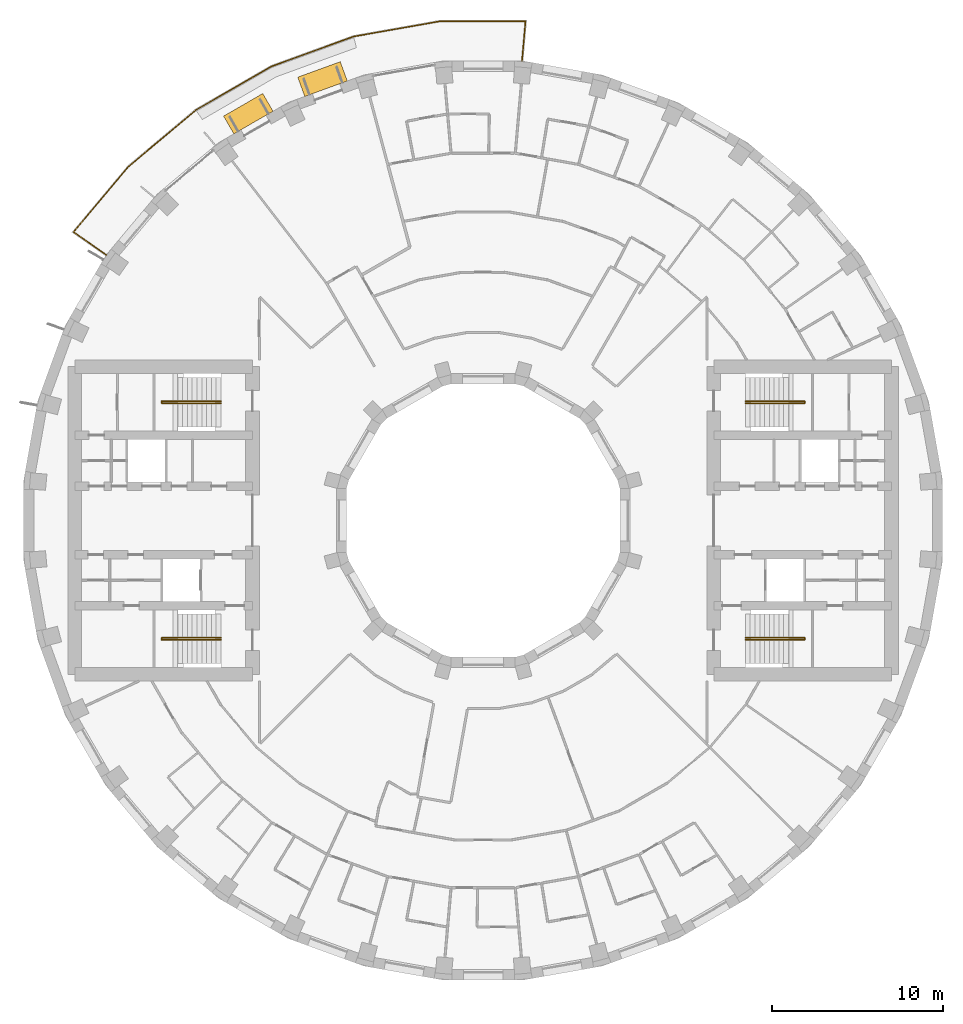
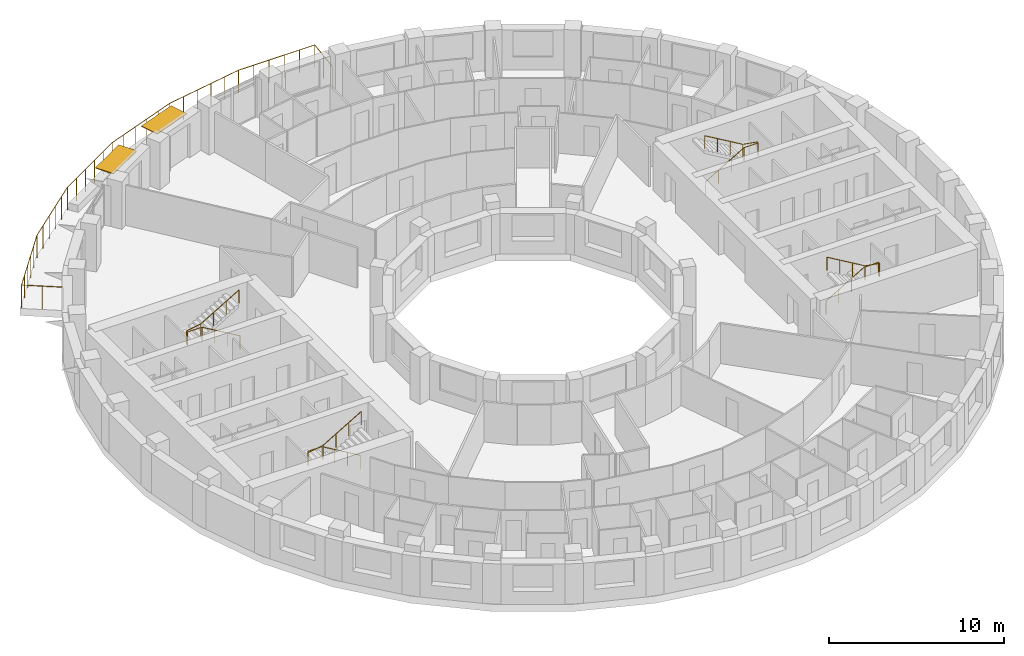
# One storey, part 14 of 14: 5 railings, 2 shading devices.
"""IFC4 building model written with IfcOpenShell, lengths in metres."""

from ifc_helpers import new_model, si_unit, direction, frame, origin, origin_2d, place, context, subcontext, project, spatial, rectangle, circle, extrude, material, layer, layer_set, type_object, element, save


model = new_model("IFC4")

# Units and contexts
model_context = context("Model", 3, precision=1e-05, world=origin(), true_north=direction((0.0, 1.0)))
body_context = subcontext(model_context, "Body", "Model", "MODEL_VIEW")
ifc_project = project(units=[si_unit("LENGTHUNIT", "METRE"), si_unit("AREAUNIT", "SQUARE_METRE"), si_unit("VOLUMEUNIT", "CUBIC_METRE"), si_unit("PLANEANGLEUNIT", "RADIAN"), si_unit("MASSUNIT", "GRAM", prefix="KILO")], contexts=[model_context])

# Site, building, storey
site_placement = place(None, origin())
site = spatial("IfcSite", under=ifc_project, at=site_placement, CompositionType="ELEMENT")
building_placement = place(site_placement, origin())
building = spatial("IfcBuilding", under=site, at=building_placement, Name="Saqina Gate Tower", CompositionType="ELEMENT")
storey_placement = place(building_placement, frame((0.0, 0.0, 98.5)))
storey = spatial("IfcBuildingStorey", under=building, at=storey_placement, Name="L27", CompositionType="ELEMENT", Elevation=98.5)

# Shading devices
ifc_material_1 = material(Name="Aluminium and fabric awning", Category="aluminium")
ifc_layer = layer(ifc_material_1, 0.050048828125)
ifc_layer_set = layer_set([ifc_layer], Name="AW-TERRACE")
shading_device_type = type_object("IfcShadingDeviceType", Name="AW-TERRACE", PredefinedType="AWNING", material=ifc_layer_set)
for number, where, z_axis, x_axis, name in (
    (1, (-9.404541015625, 25.839111328125, 2.52490234375), (0.0, 0.0, 1.0), (-0.939692620786, -0.342020143326, 0.0), "Terrace awning L27 facet 11"),
    (2, (-13.74853515625, 23.813232421875, 2.52490234375), (0.0, 0.0, 1.0), (-0.866025403784, -0.5, 0.0), "Terrace awning L27 facet 12"),
):
    element("IfcShadingDevice", number, at=place(storey_placement, frame(where, z_axis=z_axis, x_axis=x_axis)), inside=storey, type_object=shading_device_type, Name=name, PredefinedType="AWNING", context=body_context, shape_type="SweptSolid", body=[
        extrude(rectangle(XDim=2.647705078125, YDim=1.199951171875, at=origin_2d()), origin(), (0.0, 0.0, 1.0), 0.050048828125),
    ])

# Railings
ifc_material_2 = material(Name="Stainless steel", Category="steel")
railing_type_1 = type_object("IfcRailingType", Name="RL-TERRACE", PredefinedType="GUARDRAIL", material=ifc_material_2)
railing_1_placement = place(storey_placement, frame((2.268310546875, 26.844482421875, 0.0)))
element("IfcRailing", 3, at=railing_1_placement, inside=storey, type_object=railing_type_1, Name="Terrace guard L27", PredefinedType="GUARDRAIL", context=body_context, shape_type="SweptSolid", body=[
    extrude(circle(Radius=0.02392578125, at=origin_2d()), frame((0.0, 0.0, 1.576171875), z_axis=(0.087180896688, 0.996192497087, 0.0), x_axis=(-0.996192497087, 0.087180896688, 0.0)), (0.0, 0.0, 1.0), 2.388671875),
    extrude(circle(Radius=0.02392578125, at=origin_2d()), frame((0.208251953125, 2.379638671875, 1.576171875), z_axis=(-0.999999077512, -0.001358298931, 0.0), x_axis=(0.001358298931, -0.999999077512, 0.0)), (0.0, 0.0, 1.0), 5.03271484375),
    extrude(circle(Radius=0.02392578125, at=origin_2d()), frame((-4.824462890625, 2.372802734375, 1.576171875), z_axis=(-0.984809508757, -0.173638220049, 0.0), x_axis=(0.173638220049, -0.984809508757, 0.0)), (0.0, 0.0, 1.0), 5.1123046875),
    extrude(circle(Radius=0.02392578125, at=origin_2d()), frame((-9.859130859375, 1.485107421875, 1.576171875), z_axis=(-0.939695786518, -0.342011445423, 0.0), x_axis=(0.342011445423, -0.939695786518, 0.0)), (0.0, 0.0, 1.0), 5.112548828125),
    extrude(circle(Radius=0.02392578125, at=origin_2d()), frame((-14.663330078125, -0.263427734375, 1.576171875), z_axis=(-0.866018575041, -0.500011827544, 0.0), x_axis=(0.500011827544, -0.866018575041, 0.0)), (0.0, 0.0, 1.0), 5.1123046875),
    extrude(circle(Radius=0.02392578125, at=origin_2d()), frame((-19.090576171875, -2.819580078125, 1.576171875), z_axis=(-0.766020862158, -0.642815711334, 0.0), x_axis=(0.642815711334, -0.766020862158, 0.0)), (0.0, 0.0, 1.0), 5.112548828125),
    extrude(circle(Radius=0.02392578125, at=origin_2d()), frame((-23.0068359375, -6.10595703125, 1.576171875), z_axis=(-0.643889225098, -0.765118726606, 0.0), x_axis=(0.765118726606, -0.643889225098, 0.0)), (0.0, 0.0, 1.0), 5.03271484375),
    extrude(circle(Radius=0.02392578125, at=origin_2d()), frame((-26.247314453125, -9.95654296875, 1.576171875), z_axis=(0.819111872113, -0.573633803889, 0.0), x_axis=(0.573633803889, 0.819111872113, 0.0)), (0.0, 0.0, 1.0), 2.388916015625),
    extrude(circle(Radius=0.02099609375, at=origin_2d()), origin(), (0.0, 0.0, 1.0), 1.552001953125),
    extrude(circle(Radius=0.02099609375, at=origin_2d()), frame((0.10400390625, 1.18994140625, 0.0)), (0.0, 0.0, 1.0), 1.552001953125),
    extrude(circle(Radius=0.02099609375, at=origin_2d()), frame((0.208251953125, 2.379638671875, 0.0)), (0.0, 0.0, 1.0), 1.552001953125),
    extrude(circle(Radius=0.02099609375, at=origin_2d()), frame((-0.79833984375, 2.378173828125, 0.0)), (0.0, 0.0, 1.0), 1.552001953125),
    extrude(circle(Radius=0.02099609375, at=origin_2d()), frame((-1.804931640625, 2.376953125, 0.0)), (0.0, 0.0, 1.0), 1.552001953125),
    extrude(circle(Radius=0.02099609375, at=origin_2d()), frame((-2.811279296875, 2.37548828125, 0.0)), (0.0, 0.0, 1.0), 1.552001953125),
    extrude(circle(Radius=0.02099609375, at=origin_2d()), frame((-3.81787109375, 2.374267578125, 0.0)), (0.0, 0.0, 1.0), 1.552001953125),
    extrude(circle(Radius=0.02099609375, at=origin_2d()), frame((-4.824462890625, 2.372802734375, 0.0)), (0.0, 0.0, 1.0), 1.552001953125),
    extrude(circle(Radius=0.02099609375, at=origin_2d()), frame((-5.831298828125, 2.1953125, 0.0)), (0.0, 0.0, 1.0), 1.552001953125),
    extrude(circle(Radius=0.02099609375, at=origin_2d()), frame((-6.83837890625, 2.017822265625, 0.0)), (0.0, 0.0, 1.0), 1.552001953125),
    extrude(circle(Radius=0.02099609375, at=origin_2d()), frame((-7.84521484375, 1.840087890625, 0.0)), (0.0, 0.0, 1.0), 1.552001953125),
    extrude(circle(Radius=0.02099609375, at=origin_2d()), frame((-8.852294921875, 1.66259765625, 0.0)), (0.0, 0.0, 1.0), 1.552001953125),
    extrude(circle(Radius=0.02099609375, at=origin_2d()), frame((-9.859130859375, 1.485107421875, 0.0)), (0.0, 0.0, 1.0), 1.552001953125),
    extrude(circle(Radius=0.02099609375, at=origin_2d()), frame((-10.820068359375, 1.135498046875, 0.0)), (0.0, 0.0, 1.0), 1.552001953125),
    extrude(circle(Radius=0.02099609375, at=origin_2d()), frame((-11.78076171875, 0.78564453125, 0.0)), (0.0, 0.0, 1.0), 1.552001953125),
    extrude(circle(Radius=0.02099609375, at=origin_2d()), frame((-12.74169921875, 0.43603515625, 0.0)), (0.0, 0.0, 1.0), 1.552001953125),
    extrude(circle(Radius=0.02099609375, at=origin_2d()), frame((-13.702392578125, 0.086181640625, 0.0)), (0.0, 0.0, 1.0), 1.552001953125),
    extrude(circle(Radius=0.02099609375, at=origin_2d()), frame((-14.663330078125, -0.263427734375, 0.0)), (0.0, 0.0, 1.0), 1.552001953125),
    extrude(circle(Radius=0.02099609375, at=origin_2d()), frame((-15.548828125, -0.774658203125, 0.0)), (0.0, 0.0, 1.0), 1.552001953125),
    extrude(circle(Radius=0.02099609375, at=origin_2d()), frame((-16.434326171875, -1.285888671875, 0.0)), (0.0, 0.0, 1.0), 1.552001953125),
    extrude(circle(Radius=0.02099609375, at=origin_2d()), frame((-17.319580078125, -1.797119140625, 0.0)), (0.0, 0.0, 1.0), 1.552001953125),
    extrude(circle(Radius=0.02099609375, at=origin_2d()), frame((-18.205078125, -2.308349609375, 0.0)), (0.0, 0.0, 1.0), 1.552001953125),
    extrude(circle(Radius=0.02099609375, at=origin_2d()), frame((-19.090576171875, -2.819580078125, 0.0)), (0.0, 0.0, 1.0), 1.552001953125),
    extrude(circle(Radius=0.02099609375, at=origin_2d()), frame((-19.873779296875, -3.476806640625, 0.0)), (0.0, 0.0, 1.0), 1.552001953125),
    extrude(circle(Radius=0.02099609375, at=origin_2d()), frame((-20.656982421875, -4.134033203125, 0.0)), (0.0, 0.0, 1.0), 1.552001953125),
    extrude(circle(Radius=0.02099609375, at=origin_2d()), frame((-21.4404296875, -4.79150390625, 0.0)), (0.0, 0.0, 1.0), 1.552001953125),
    extrude(circle(Radius=0.02099609375, at=origin_2d()), frame((-22.2236328125, -5.44873046875, 0.0)), (0.0, 0.0, 1.0), 1.552001953125),
    extrude(circle(Radius=0.02099609375, at=origin_2d()), frame((-23.0068359375, -6.10595703125, 0.0)), (0.0, 0.0, 1.0), 1.552001953125),
    extrude(circle(Radius=0.02099609375, at=origin_2d()), frame((-23.655029296875, -6.8759765625, 0.0)), (0.0, 0.0, 1.0), 1.552001953125),
    extrude(circle(Radius=0.02099609375, at=origin_2d()), frame((-24.302978515625, -7.646240234375, 0.0)), (0.0, 0.0, 1.0), 1.552001953125),
    extrude(circle(Radius=0.02099609375, at=origin_2d()), frame((-24.951171875, -8.416259765625, 0.0)), (0.0, 0.0, 1.0), 1.552001953125),
    extrude(circle(Radius=0.02099609375, at=origin_2d()), frame((-25.59912109375, -9.1865234375, 0.0)), (0.0, 0.0, 1.0), 1.552001953125),
    extrude(circle(Radius=0.02099609375, at=origin_2d()), frame((-26.247314453125, -9.95654296875, 0.0)), (0.0, 0.0, 1.0), 1.552001953125),
    extrude(circle(Radius=0.02099609375, at=origin_2d()), frame((-25.26904296875, -10.6416015625, 0.0)), (0.0, 0.0, 1.0), 1.552001953125),
    extrude(circle(Radius=0.02099609375, at=origin_2d()), frame((-24.29052734375, -11.326904296875, 0.0)), (0.0, 0.0, 1.0), 1.552001953125),
])
ifc_material_3 = material(Name="Stainless steel", Category="steel")
railing_type_2 = type_object("IfcRailingType", Name="STAIR HANDRAIL", PredefinedType="HANDRAIL", material=ifc_material_3)
railing_2_placement = place(storey_placement, frame((15.35009765625, 6.86669921875, 0.1650390625)))
element("IfcRailing", 4, at=railing_2_placement, inside=storey, type_object=railing_type_2, Name="EXIT STAIR 1 HANDRAIL", PredefinedType="HANDRAIL", context=body_context, shape_type="SweptSolid", body=[
    extrude(circle(Radius=0.02392578125, at=origin_2d()), frame((0.0, 0.0, 0.92578125), z_axis=(0.861560626758, 0.0, 0.507654692109), x_axis=(0.0, 1.0, 0.0)), (0.0, 0.0, 1.0), 2.925048828125),
    extrude(circle(Radius=0.02392578125, at=origin_2d()), frame((2.52001953125, 0.0, 2.41064453125), z_axis=(1.0, 0.0, 0.0), x_axis=(0.0, 1.0, 0.0)), (0.0, 0.0, 1.0), 0.949951171875),
    extrude(circle(Radius=0.02392578125, at=origin_2d()), frame((3.469970703125, 0.0, 2.41064453125), z_axis=(0.0, 1.0, 0.0), x_axis=(-1.0, 0.0, 0.0)), (0.0, 0.0, 1.0), 0.11669921875),
    extrude(circle(Radius=0.02392578125, at=origin_2d()), frame((3.469970703125, 0.11669921875, 2.41064453125), z_axis=(-0.985241474778, 0.0, 0.171170197109), x_axis=(0.0, -1.0, 0.0)), (0.0, 0.0, 1.0), 0.964111328125),
    extrude(circle(Radius=0.02392578125, at=origin_2d()), frame((2.52001953125, 0.11669921875, 2.57568359375), z_axis=(-0.86152411907, 0.0, 0.507716645641), x_axis=(0.0, -1.0, 0.0)), (0.0, 0.0, 1.0), 2.925048828125),
    extrude(circle(Radius=0.02099609375, at=origin_2d()), origin(), (0.0, 0.0, 1.0), 0.90185546875),
    extrude(circle(Radius=0.02099609375, at=origin_2d()), frame((0.840087890625, 0.0, 0.494873046875)), (0.0, 0.0, 1.0), 0.90185546875),
    extrude(circle(Radius=0.02099609375, at=origin_2d()), frame((1.679931640625, 0.0, 0.989990234375)), (0.0, 0.0, 1.0), 0.90185546875),
    extrude(circle(Radius=0.02099609375, at=origin_2d()), frame((2.52001953125, 0.0, 1.48486328125)), (0.0, 0.0, 1.0), 0.90185546875),
    extrude(circle(Radius=0.02099609375, at=origin_2d()), frame((3.469970703125, 0.0, 1.48486328125)), (0.0, 0.0, 1.0), 0.90185546875),
    extrude(circle(Radius=0.02099609375, at=origin_2d()), frame((3.469970703125, 0.11669921875, 1.48486328125)), (0.0, 0.0, 1.0), 0.90185546875),
    extrude(circle(Radius=0.02099609375, at=origin_2d()), frame((2.52001953125, 0.11669921875, 1.64990234375)), (0.0, 0.0, 1.0), 0.90185546875),
    extrude(circle(Radius=0.02099609375, at=origin_2d()), frame((1.679931640625, 0.11669921875, 2.14501953125)), (0.0, 0.0, 1.0), 0.90185546875),
    extrude(circle(Radius=0.02099609375, at=origin_2d()), frame((0.840087890625, 0.11669921875, 2.639892578125)), (0.0, 0.0, 1.0), 0.90185546875),
    extrude(circle(Radius=0.02099609375, at=origin_2d()), frame((0.0, 0.11669921875, 3.135009765625)), (0.0, 0.0, 1.0), 0.90185546875),
])
railing_3_placement = place(storey_placement, frame((15.35009765625, -6.86669921875, 0.1650390625)))
element("IfcRailing", 5, at=railing_3_placement, inside=storey, type_object=railing_type_2, Name="EXIT STAIR 2 HANDRAIL", PredefinedType="HANDRAIL", context=body_context, shape_type="SweptSolid", body=[
    extrude(circle(Radius=0.02392578125, at=origin_2d()), frame((0.0, 0.0, 0.92578125), z_axis=(0.861560626758, 0.0, 0.507654692109), x_axis=(0.0, 1.0, 0.0)), (0.0, 0.0, 1.0), 2.925048828125),
    extrude(circle(Radius=0.02392578125, at=origin_2d()), frame((2.52001953125, 0.0, 2.41064453125), z_axis=(1.0, 0.0, 0.0), x_axis=(0.0, 1.0, 0.0)), (0.0, 0.0, 1.0), 0.949951171875),
    extrude(circle(Radius=0.02392578125, at=origin_2d()), frame((3.469970703125, 0.0, 2.41064453125), z_axis=(0.0, -1.0, 0.0), x_axis=(1.0, 0.0, 0.0)), (0.0, 0.0, 1.0), 0.11669921875),
    extrude(circle(Radius=0.02392578125, at=origin_2d()), frame((3.469970703125, -0.11669921875, 2.41064453125), z_axis=(-0.985241474778, 0.0, 0.171170197109), x_axis=(0.0, -1.0, 0.0)), (0.0, 0.0, 1.0), 0.964111328125),
    extrude(circle(Radius=0.02392578125, at=origin_2d()), frame((2.52001953125, -0.11669921875, 2.57568359375), z_axis=(-0.86152411907, 0.0, 0.507716645641), x_axis=(0.0, -1.0, 0.0)), (0.0, 0.0, 1.0), 2.925048828125),
    extrude(circle(Radius=0.02099609375, at=origin_2d()), origin(), (0.0, 0.0, 1.0), 0.90185546875),
    extrude(circle(Radius=0.02099609375, at=origin_2d()), frame((0.840087890625, 0.0, 0.494873046875)), (0.0, 0.0, 1.0), 0.90185546875),
    extrude(circle(Radius=0.02099609375, at=origin_2d()), frame((1.679931640625, 0.0, 0.989990234375)), (0.0, 0.0, 1.0), 0.90185546875),
    extrude(circle(Radius=0.02099609375, at=origin_2d()), frame((2.52001953125, 0.0, 1.48486328125)), (0.0, 0.0, 1.0), 0.90185546875),
    extrude(circle(Radius=0.02099609375, at=origin_2d()), frame((3.469970703125, 0.0, 1.48486328125)), (0.0, 0.0, 1.0), 0.90185546875),
    extrude(circle(Radius=0.02099609375, at=origin_2d()), frame((3.469970703125, -0.11669921875, 1.48486328125)), (0.0, 0.0, 1.0), 0.90185546875),
    extrude(circle(Radius=0.02099609375, at=origin_2d()), frame((2.52001953125, -0.11669921875, 1.64990234375)), (0.0, 0.0, 1.0), 0.90185546875),
    extrude(circle(Radius=0.02099609375, at=origin_2d()), frame((1.679931640625, -0.11669921875, 2.14501953125)), (0.0, 0.0, 1.0), 0.90185546875),
    extrude(circle(Radius=0.02099609375, at=origin_2d()), frame((0.840087890625, -0.11669921875, 2.639892578125)), (0.0, 0.0, 1.0), 0.90185546875),
    extrude(circle(Radius=0.02099609375, at=origin_2d()), frame((0.0, -0.11669921875, 3.135009765625)), (0.0, 0.0, 1.0), 0.90185546875),
])
railing_4_placement = place(storey_placement, frame((-15.35009765625, 6.86669921875, 0.1650390625)))
element("IfcRailing", 6, at=railing_4_placement, inside=storey, type_object=railing_type_2, Name="EXIT STAIR 3 HANDRAIL", PredefinedType="HANDRAIL", context=body_context, shape_type="SweptSolid", body=[
    extrude(circle(Radius=0.02392578125, at=origin_2d()), frame((0.0, 0.0, 0.92578125), z_axis=(-0.861560626758, 0.0, 0.507654692109), x_axis=(0.0, -1.0, 0.0)), (0.0, 0.0, 1.0), 2.925048828125),
    extrude(circle(Radius=0.02392578125, at=origin_2d()), frame((-2.52001953125, 0.0, 2.41064453125), z_axis=(-1.0, 0.0, 0.0), x_axis=(0.0, -1.0, 0.0)), (0.0, 0.0, 1.0), 0.949951171875),
    extrude(circle(Radius=0.02392578125, at=origin_2d()), frame((-3.469970703125, 0.0, 2.41064453125), z_axis=(0.0, 1.0, 0.0), x_axis=(-1.0, 0.0, 0.0)), (0.0, 0.0, 1.0), 0.11669921875),
    extrude(circle(Radius=0.02392578125, at=origin_2d()), frame((-3.469970703125, 0.11669921875, 2.41064453125), z_axis=(0.985241474778, 0.0, 0.171170197109), x_axis=(0.0, 1.0, 0.0)), (0.0, 0.0, 1.0), 0.964111328125),
    extrude(circle(Radius=0.02392578125, at=origin_2d()), frame((-2.52001953125, 0.11669921875, 2.57568359375), z_axis=(0.86152411907, 0.0, 0.507716645641), x_axis=(0.0, 1.0, 0.0)), (0.0, 0.0, 1.0), 2.925048828125),
    extrude(circle(Radius=0.02099609375, at=origin_2d()), origin(), (0.0, 0.0, 1.0), 0.90185546875),
    extrude(circle(Radius=0.02099609375, at=origin_2d()), frame((-0.840087890625, 0.0, 0.494873046875)), (0.0, 0.0, 1.0), 0.90185546875),
    extrude(circle(Radius=0.02099609375, at=origin_2d()), frame((-1.679931640625, 0.0, 0.989990234375)), (0.0, 0.0, 1.0), 0.90185546875),
    extrude(circle(Radius=0.02099609375, at=origin_2d()), frame((-2.52001953125, 0.0, 1.48486328125)), (0.0, 0.0, 1.0), 0.90185546875),
    extrude(circle(Radius=0.02099609375, at=origin_2d()), frame((-3.469970703125, 0.0, 1.48486328125)), (0.0, 0.0, 1.0), 0.90185546875),
    extrude(circle(Radius=0.02099609375, at=origin_2d()), frame((-3.469970703125, 0.11669921875, 1.48486328125)), (0.0, 0.0, 1.0), 0.90185546875),
    extrude(circle(Radius=0.02099609375, at=origin_2d()), frame((-2.52001953125, 0.11669921875, 1.64990234375)), (0.0, 0.0, 1.0), 0.90185546875),
    extrude(circle(Radius=0.02099609375, at=origin_2d()), frame((-1.679931640625, 0.11669921875, 2.14501953125)), (0.0, 0.0, 1.0), 0.90185546875),
    extrude(circle(Radius=0.02099609375, at=origin_2d()), frame((-0.840087890625, 0.11669921875, 2.639892578125)), (0.0, 0.0, 1.0), 0.90185546875),
    extrude(circle(Radius=0.02099609375, at=origin_2d()), frame((0.0, 0.11669921875, 3.135009765625)), (0.0, 0.0, 1.0), 0.90185546875),
])
railing_5_placement = place(storey_placement, frame((-15.35009765625, -6.86669921875, 0.1650390625)))
element("IfcRailing", 7, at=railing_5_placement, inside=storey, type_object=railing_type_2, Name="EXIT STAIR 4 HANDRAIL", PredefinedType="HANDRAIL", context=body_context, shape_type="SweptSolid", body=[
    extrude(circle(Radius=0.02392578125, at=origin_2d()), frame((0.0, 0.0, 0.92578125), z_axis=(-0.861560626758, 0.0, 0.507654692109), x_axis=(0.0, -1.0, 0.0)), (0.0, 0.0, 1.0), 2.925048828125),
    extrude(circle(Radius=0.02392578125, at=origin_2d()), frame((-2.52001953125, 0.0, 2.41064453125), z_axis=(-1.0, 0.0, 0.0), x_axis=(0.0, -1.0, 0.0)), (0.0, 0.0, 1.0), 0.949951171875),
    extrude(circle(Radius=0.02392578125, at=origin_2d()), frame((-3.469970703125, 0.0, 2.41064453125), z_axis=(0.0, -1.0, 0.0), x_axis=(1.0, 0.0, 0.0)), (0.0, 0.0, 1.0), 0.11669921875),
    extrude(circle(Radius=0.02392578125, at=origin_2d()), frame((-3.469970703125, -0.11669921875, 2.41064453125), z_axis=(0.985241474778, 0.0, 0.171170197109), x_axis=(0.0, 1.0, 0.0)), (0.0, 0.0, 1.0), 0.964111328125),
    extrude(circle(Radius=0.02392578125, at=origin_2d()), frame((-2.52001953125, -0.11669921875, 2.57568359375), z_axis=(0.86152411907, 0.0, 0.507716645641), x_axis=(0.0, 1.0, 0.0)), (0.0, 0.0, 1.0), 2.925048828125),
    extrude(circle(Radius=0.02099609375, at=origin_2d()), origin(), (0.0, 0.0, 1.0), 0.90185546875),
    extrude(circle(Radius=0.02099609375, at=origin_2d()), frame((-0.840087890625, 0.0, 0.494873046875)), (0.0, 0.0, 1.0), 0.90185546875),
    extrude(circle(Radius=0.02099609375, at=origin_2d()), frame((-1.679931640625, 0.0, 0.989990234375)), (0.0, 0.0, 1.0), 0.90185546875),
    extrude(circle(Radius=0.02099609375, at=origin_2d()), frame((-2.52001953125, 0.0, 1.48486328125)), (0.0, 0.0, 1.0), 0.90185546875),
    extrude(circle(Radius=0.02099609375, at=origin_2d()), frame((-3.469970703125, 0.0, 1.48486328125)), (0.0, 0.0, 1.0), 0.90185546875),
    extrude(circle(Radius=0.02099609375, at=origin_2d()), frame((-3.469970703125, -0.11669921875, 1.48486328125)), (0.0, 0.0, 1.0), 0.90185546875),
    extrude(circle(Radius=0.02099609375, at=origin_2d()), frame((-2.52001953125, -0.11669921875, 1.64990234375)), (0.0, 0.0, 1.0), 0.90185546875),
    extrude(circle(Radius=0.02099609375, at=origin_2d()), frame((-1.679931640625, -0.11669921875, 2.14501953125)), (0.0, 0.0, 1.0), 0.90185546875),
    extrude(circle(Radius=0.02099609375, at=origin_2d()), frame((-0.840087890625, -0.11669921875, 2.639892578125)), (0.0, 0.0, 1.0), 0.90185546875),
    extrude(circle(Radius=0.02099609375, at=origin_2d()), frame((0.0, -0.11669921875, 3.135009765625)), (0.0, 0.0, 1.0), 0.90185546875),
])

save(model, "model.ifc")
